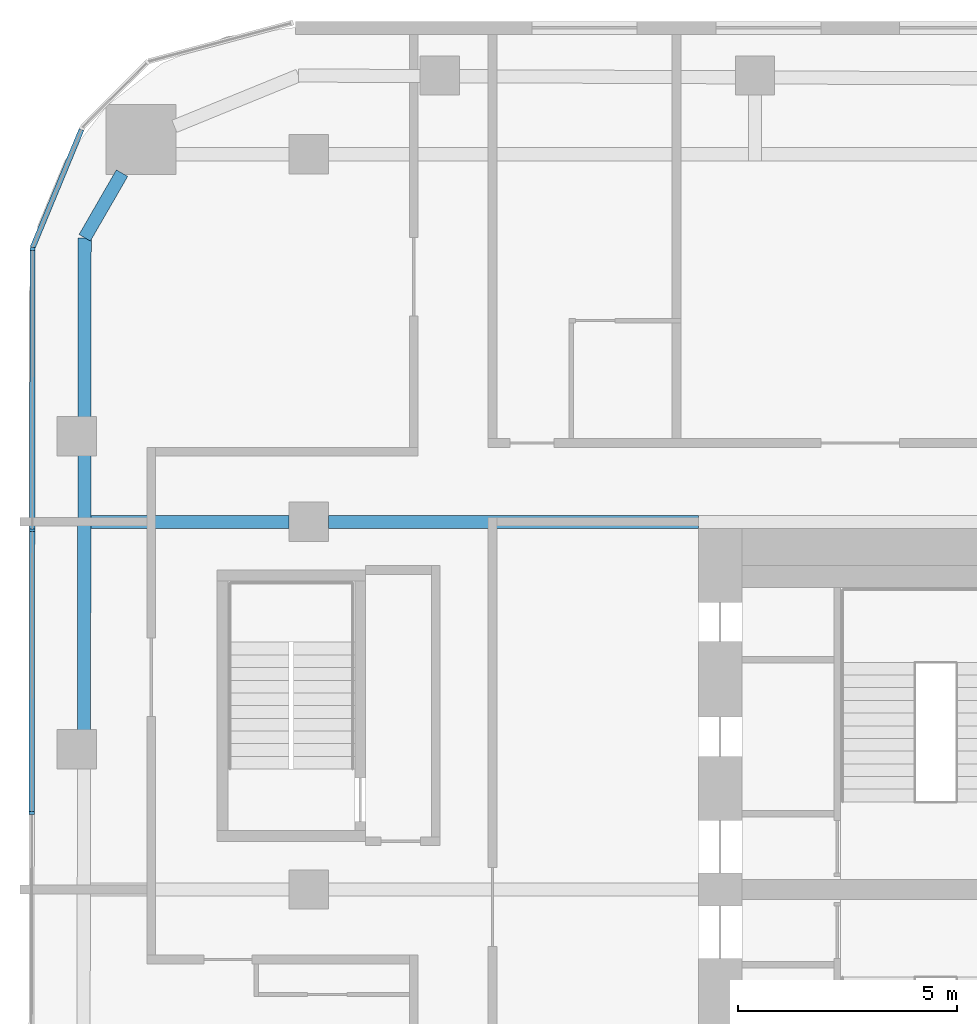
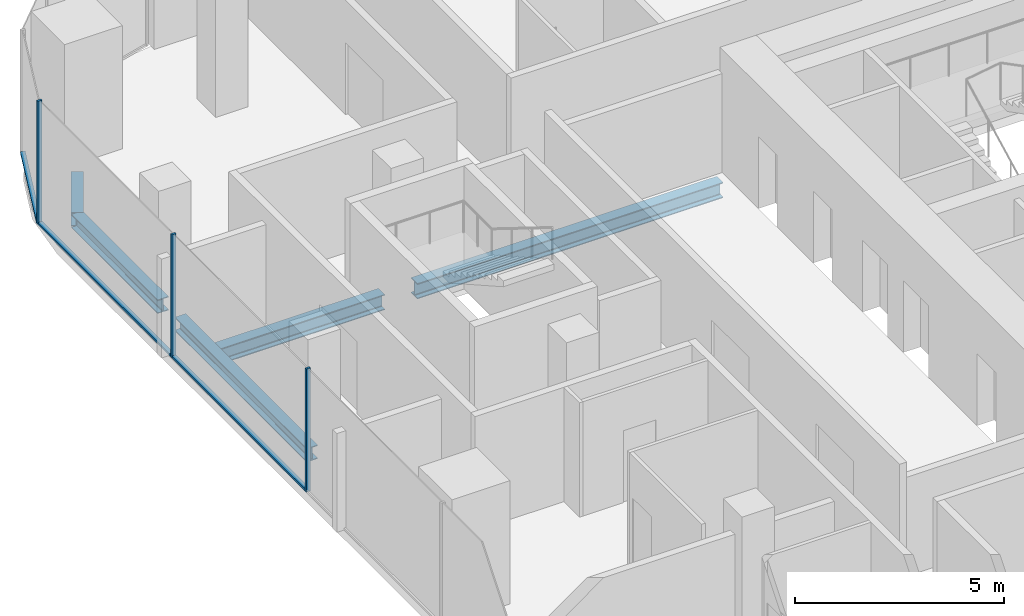
# One storey, part 8 of 23: 6 members, 5 beams, 2 elements without a shape of their own.
"""IFC4 building model written with IfcOpenShell, lengths in metres."""

import ifcopenshell
import ifcopenshell.guid

model = None  # the IFC model being written
_history = None  # IfcOwnerHistory: only IFC2X3 demands one
_inside = {}  # id of a spatial element -> (the spatial element, [elements in it])
_under = {}  # id of a project, library or spatial element -> (it, [spatial elements below it])
_declared = {}  # id of a project -> (the project, [libraries it declares])
_typed = {}  # id of a type object -> (the type object, [elements of that type])
_made_of = {}  # id of a material, layer set ... -> (it, [elements and type objects made of it])


def new_model(schema):
    """Start an empty IFC model of exactly this schema.

    Asked for "IFC4X3", IfcOpenShell would pick the latest addendum, in which some entities
    have other attributes; the version numbers below select the first issue.
    IFC2X3 requires an IfcOwnerHistory on every rooted entity: one is made here for all.
    """
    global model, _history
    if schema == "IFC4X3":
        model = ifcopenshell.file(schema_version=(4, 3, 0, 0))
    else:
        model = ifcopenshell.file(schema=schema)
    _inside.clear()
    _under.clear()
    _declared.clear()
    _typed.clear()
    _made_of.clear()
    _history = None
    if model.schema == "IFC2X3":
        org = make("IfcOrganization", Name="unknown")
        user = make(
            "IfcPersonAndOrganization",
            ThePerson=make("IfcPerson", FamilyName="unknown"),
            TheOrganization=org,
        )
        app = make(
            "IfcApplication",
            ApplicationDeveloper=org,
            Version="unknown",
            ApplicationFullName="unknown",
            ApplicationIdentifier="unknown",
        )
        _history = make(
            "IfcOwnerHistory",
            OwningUser=user,
            OwningApplication=app,
            ChangeAction="ADDED",
            CreationDate=0,
        )
    return model


def make(cls, **values):
    """One entity of the class cls with the attributes given. An attribute that is None is left unset."""
    return model.create_entity(
        cls, **{name: value for name, value in values.items() if value is not None}
    )


def rooted(cls, **values):
    """An entity with a GlobalId (a new one), such as an element, a storey or a relation."""
    return make(cls, GlobalId=ifcopenshell.guid.new(), OwnerHistory=_history, **values)


def si_unit(unit_type, name, prefix=None):
    """IfcSIUnit, for example si_unit("LENGTHUNIT", "METRE", prefix="MILLI")."""
    return make("IfcSIUnit", UnitType=unit_type, Prefix=prefix, Name=name)


def assignment(units):
    """IfcUnitAssignment: the units of a project."""
    return None if units is None else make("IfcUnitAssignment", Units=units)


def point(xyz):
    """IfcCartesianPoint."""
    return None if xyz is None else make("IfcCartesianPoint", Coordinates=xyz)


def direction(xyz):
    """IfcDirection."""
    return None if xyz is None else make("IfcDirection", DirectionRatios=xyz)


def frame(location, z_axis=None, x_axis=None):
    """IfcAxis2Placement3D, a coordinate frame: its origin and axes. An axis left out is left unset."""
    return make(
        "IfcAxis2Placement3D",
        Location=point(location),
        Axis=direction(z_axis),
        RefDirection=direction(x_axis),
    )


def frame_2d(location, x_axis=None):
    """IfcAxis2Placement2D, a coordinate frame in the plane: its origin and x axis."""
    return make(
        "IfcAxis2Placement2D", Location=point(location), RefDirection=direction(x_axis)
    )


def origin():
    """The frame at (0, 0, 0) with its axes left unset."""
    return frame((0.0, 0.0, 0.0))


def origin_2d():
    """The frame at (0, 0) in the plane with its x axis left unset."""
    return frame_2d((0.0, 0.0))


def place(relative_to, where):
    """IfcLocalPlacement: puts the frame where relative to a parent placement (None: the world)."""
    return make(
        "IfcLocalPlacement", PlacementRelTo=relative_to, RelativePlacement=where
    )


def context(
    kind, dimensions, precision=None, world=None, true_north=None, identifier=None
):
    """IfcGeometricRepresentationContext, for example the 3D "Model" context."""
    return make(
        "IfcGeometricRepresentationContext",
        ContextIdentifier=identifier,
        ContextType=kind,
        CoordinateSpaceDimension=dimensions,
        Precision=precision,
        WorldCoordinateSystem=world,
        TrueNorth=true_north,
    )


def subcontext(parent, identifier, kind, view, scale=None):
    """IfcGeometricRepresentationSubContext, for example "Body" below "Model"."""
    return make(
        "IfcGeometricRepresentationSubContext",
        ContextIdentifier=identifier,
        ContextType=kind,
        ParentContext=parent,
        TargetScale=scale,
        TargetView=view,
    )


def project(units=None, contexts=None):
    """IfcProject with its units and contexts."""
    return rooted(
        "IfcProject",
        Name="project",
        RepresentationContexts=contexts,
        UnitsInContext=assignment(units),
    )


def spatial(cls, under=None, at=None, **own):
    """A site, building, storey or space (cls), placed at a placement, below another one or the project."""
    s = rooted(cls, ObjectPlacement=at, **own)
    if under is not None:
        _under.setdefault(under.id(), (under, []))[1].append(s)
    return s


def profile(cls, at=None, kind="AREA", **sizes):
    """A parametric profile (cls). Its sizes go by their IFC names, for example OverallWidth=200.0."""
    return make(cls, ProfileType=kind, Position=at, **sizes)


def rectangle(**sizes):
    """IfcRectangleProfileDef."""
    return profile("IfcRectangleProfileDef", **sizes)


def i_section(**sizes):
    """IfcIShapeProfileDef."""
    return profile("IfcIShapeProfileDef", **sizes)


def extrude(swept, where, along, depth):
    """IfcExtrudedAreaSolid: the profile swept, set in the frame where, extruded along a direction by depth."""
    return make(
        "IfcExtrudedAreaSolid",
        SweptArea=swept,
        Position=where,
        ExtrudedDirection=direction(along),
        Depth=depth,
    )


def shape(context_of_items, identifier, shape_type, items):
    """IfcShapeRepresentation: the items that make up one representation, for example the "Body"."""
    return make(
        "IfcShapeRepresentation",
        ContextOfItems=context_of_items,
        RepresentationIdentifier=identifier,
        RepresentationType=shape_type,
        Items=items,
    )


def material(Name=None, Category=None):
    """IfcMaterial."""
    return make("IfcMaterial", Name=Name, Category=Category)


def layer(
    of_material, thickness, ventilated=None, Name=None, Category=None, Priority=None
):
    """IfcMaterialLayer: one layer of a wall or slab, of a material (None: an air gap)."""
    return make(
        "IfcMaterialLayer",
        Material=of_material,
        LayerThickness=thickness,
        IsVentilated=ventilated,
        Name=Name,
        Category=Category,
        Priority=Priority,
    )


def layer_set(layers, Name=None):
    """IfcMaterialLayerSet."""
    return make("IfcMaterialLayerSet", MaterialLayers=layers, LayerSetName=Name)


def material_profile(
    of_material, cross_section, Name=None, Category=None, Priority=None
):
    """IfcMaterialProfile: a cross section and its material."""
    return make(
        "IfcMaterialProfile",
        Name=Name,
        Material=of_material,
        Profile=cross_section,
        Priority=Priority,
        Category=Category,
    )


def profile_set(profiles, Name=None, composite=None):
    """IfcMaterialProfileSet."""
    return make(
        "IfcMaterialProfileSet",
        Name=Name,
        MaterialProfiles=profiles,
        CompositeProfile=composite,
    )


def made_of(thing, what):
    """Note that an element or type object is made of a material, layer set ...; save() writes the relation."""
    if what is not None:
        _made_of.setdefault(what.id(), (what, []))[1].append(thing)
    return thing


def type_object(cls, material=None, **own):
    """A type object (cls), such as IfcWallType, which elements share."""
    return made_of(rooted(cls, **own), material)


def element(
    cls,
    number,
    at=None,
    inside=None,
    cuts=None,
    type_object=None,
    material=None,
    context=None,
    identifier="Body",
    shape_type=None,
    held_by="IfcProductDefinitionShape",
    body=None,
    shapes=None,
    **own,
):
    """One element of the class cls, such as IfcWall. Its Tag is "e" and its number.

    at: its placement. inside: the storey or other place that contains it. cuts: it is an
    opening in that element (IfcRelVoidsElement). A single representation is given by context,
    identifier, shape_type and body (its items); several are given by shapes. held_by: the class
    of the entity that holds the representations. save() writes the other relations.
    """
    e = rooted(cls, Tag="e%d" % number, ObjectPlacement=at, **own)
    if body is not None:
        shapes = [shape(context, identifier, shape_type, body)]
    if shapes is not None:
        e.Representation = make(held_by, Representations=shapes)
    if inside is not None:
        _inside.setdefault(inside.id(), (inside, []))[1].append(e)
    if cuts is not None:
        rooted(
            "IfcRelVoidsElement", RelatingBuildingElement=cuts, RelatedOpeningElement=e
        )
    if type_object is not None:
        _typed.setdefault(type_object.id(), (type_object, []))[1].append(e)
    return made_of(e, material)


def aggregate(whole, parts):
    """IfcRelAggregates: a whole, such as a stair, and the parts it consists of."""
    return rooted("IfcRelAggregates", RelatingObject=whole, RelatedObjects=parts)


def save(model, path):
    """Write the relations noted so far, then the file.

    IfcRelAggregates (storeys below a building ...), IfcRelContainedInSpatialStructure (elements
    in a storey), IfcRelDefinesByType, IfcRelAssociatesMaterial and IfcRelDeclares: one each for
    every whole, place, type object, material and project.
    """
    for whole, parts in _under.values():
        aggregate(whole, parts)
    for where, things in _inside.values():
        rooted(
            "IfcRelContainedInSpatialStructure",
            RelatedElements=things,
            RelatingStructure=where,
        )
    for kind, things in _typed.values():
        rooted("IfcRelDefinesByType", RelatedObjects=things, RelatingType=kind)
    for what, things in _made_of.values():
        rooted("IfcRelAssociatesMaterial", RelatedObjects=things, RelatingMaterial=what)
    for by, libraries in _declared.values():
        rooted("IfcRelDeclares", RelatingContext=by, RelatedDefinitions=libraries)
    model.write(path)


model = new_model("IFC4")

# Units and contexts
model_context = context("Model", 3, precision=1e-05, world=origin(), true_north=direction((0.0, 1.0)))
body_context = subcontext(model_context, "Body", "Model", "MODEL_VIEW")
ifc_project = project(units=[si_unit("LENGTHUNIT", "METRE"), si_unit("AREAUNIT", "SQUARE_METRE"), si_unit("VOLUMEUNIT", "CUBIC_METRE"), si_unit("PLANEANGLEUNIT", "RADIAN"), si_unit("MASSUNIT", "GRAM", prefix="KILO")], contexts=[model_context])

# Site, building, storey
site_placement = place(None, origin())
site = spatial("IfcSite", under=ifc_project, at=site_placement, CompositionType="ELEMENT")
building_placement = place(site_placement, origin())
building = spatial("IfcBuilding", under=site, at=building_placement, Name="Marenta Gate Hotel Tower", CompositionType="ELEMENT")
storey_placement = place(building_placement, frame((0.0, 0.0, 148.10009765625)))
storey = spatial("IfcBuildingStorey", under=building, at=storey_placement, Name="L34", CompositionType="ELEMENT", Elevation=148.10009765625)

# Beams
ifc_material_1 = material(Name="Steel S355", Category="steel")
ifc_material_profile_1 = material_profile(ifc_material_1, i_section(OverallWidth=0.300048828125, OverallDepth=0.39990234375, WebThickness=0.013427734375, FlangeThickness=0.02392578125, FilletRadius=0.027099609375, at=origin_2d()), Name="HEB 400")
ifc_profile_set_1 = profile_set([ifc_material_profile_1], Name="Steel S355")
beam_type_1 = type_object("IfcBeamType", Name="Edge beam HEB 400", PredefinedType="SPANDREL", material=ifc_profile_set_1)
beam_1_placement = place(storey_placement, frame((-26.136962890625, 12.01318359375, -0.460205078125), z_axis=(0.001387763206, 0.999999037056, 0.0), x_axis=(-0.999999037056, 0.001387763206, 0.0)))
element("IfcBeam", 1, at=beam_1_placement, inside=storey, type_object=beam_type_1, Name="L34-EB-9", PredefinedType="SPANDREL", context=body_context, shape_type="SweptSolid", body=[
    extrude(i_section(OverallWidth=0.300048828125, OverallDepth=0.39990234375, WebThickness=0.013427734375, FlangeThickness=0.02392578125, FilletRadius=0.027099609375, at=origin_2d()), origin(), (0.0, 0.0, 1.0), 6.333251953125),
])
beam_2_placement = place(storey_placement, frame((-26.126953125, 19.16650390625, -0.460205078125), z_axis=(0.001361187116, 0.999999073584, 0.0), x_axis=(-0.999999073584, 0.001361187116, 0.0)))
element("IfcBeam", 2, at=beam_2_placement, inside=storey, type_object=beam_type_1, Name="L34-EB-10", PredefinedType="SPANDREL", context=body_context, shape_type="SweptSolid", body=[
    extrude(i_section(OverallWidth=0.300048828125, OverallDepth=0.39990234375, WebThickness=0.013427734375, FlangeThickness=0.02392578125, FilletRadius=0.027099609375, at=origin_2d()), origin(), (0.0, 0.0, 1.0), 4.125244140625),
])
beam_3_placement = place(storey_placement, frame((-26.121337890625, 23.291748046875, -0.460205078125), z_axis=(0.500015459501, 0.866016478054, 0.0), x_axis=(-0.866016478054, 0.500015459501, 0.0)))
element("IfcBeam", 3, at=beam_3_placement, inside=storey, type_object=beam_type_1, Name="L34-EB-11", PredefinedType="SPANDREL", context=body_context, shape_type="SweptSolid", body=[
    extrude(i_section(OverallWidth=0.300048828125, OverallDepth=0.39990234375, WebThickness=0.013427734375, FlangeThickness=0.02392578125, FilletRadius=0.027099609375, at=origin_2d()), origin(), (0.0, 0.0, 1.0), 1.70703125),
])
ifc_material_2 = material(Name="Steel S355", Category="steel")
ifc_material_profile_2 = material_profile(ifc_material_2, i_section(OverallWidth=0.300048828125, OverallDepth=0.449951171875, WebThickness=0.013916015625, FlangeThickness=0.02587890625, FilletRadius=0.027099609375, at=origin_2d()), Name="HEB 450")
ifc_profile_set_2 = profile_set([ifc_material_profile_2], Name="Steel S355")
beam_type_2 = type_object("IfcBeamType", Name="Girder HEB 450", PredefinedType="BEAM", material=ifc_profile_set_2)
beam_4_placement = place(storey_placement, frame((-25.980224609375, 16.800048828125, -0.485107421875), z_axis=(1.0, 0.0, 0.0), x_axis=(0.0, 1.0, 0.0)))
element("IfcBeam", 4, at=beam_4_placement, inside=storey, type_object=beam_type_2, Name="L34-GD-24", PredefinedType="BEAM", context=body_context, shape_type="SweptSolid", body=[
    extrude(i_section(OverallWidth=0.300048828125, OverallDepth=0.449951171875, WebThickness=0.013916015625, FlangeThickness=0.02587890625, FilletRadius=0.027099609375, at=origin_2d()), origin(), (0.0, 0.0, 1.0), 4.5302734375),
])
beam_5_placement = place(storey_placement, frame((-20.550048828125, 16.800048828125, -0.485107421875), z_axis=(1.0, 0.0, 0.0), x_axis=(0.0, 1.0, 0.0)))
element("IfcBeam", 5, at=beam_5_placement, inside=storey, type_object=beam_type_2, Name="L34-GD-25", PredefinedType="BEAM", context=body_context, shape_type="SweptSolid", body=[
    extrude(i_section(OverallWidth=0.300048828125, OverallDepth=0.449951171875, WebThickness=0.013916015625, FlangeThickness=0.02587890625, FilletRadius=0.027099609375, at=origin_2d()), origin(), (0.0, 0.0, 1.0), 8.449951171875),
])

# Curtain wall, members
ifc_material_3 = material(Name="Tinted insulated glass in bronze anodised frame", Category="glass")
ifc_layer = layer(ifc_material_3, 0.1201171875)
ifc_layer_set = layer_set([ifc_layer], Name="Tinted insulated glass in bronze anodised frame")
curtain_wall_type = type_object("IfcCurtainWallType", Name="Tower unitised curtain wall CW1", PredefinedType="NOTDEFINED", material=ifc_layer_set)
curtain_wall_1_placement = place(storey_placement, origin())
curtain_wall_1 = element("IfcCurtainWall", 6, at=curtain_wall_1_placement, inside=storey, type_object=curtain_wall_type, Name="CW1 run G03", PredefinedType="NOTDEFINED")
ifc_material_4 = material(Name="Bronze anodised aluminium", Category="aluminium")
ifc_material_profile_3 = material_profile(ifc_material_4, rectangle(XDim=0.1201171875, YDim=0.06005859375, at=origin_2d()), Name="Mullion CW1 60x120 bronze anodised aluminium")
ifc_profile_set_3 = profile_set([ifc_material_profile_3], Name="Bronze anodised aluminium")
member_type_1 = type_object("IfcMemberType", Name="Mullion CW1 60x120 bronze anodised aluminium", PredefinedType="MULLION", material=ifc_profile_set_3)
member_1_placement = place(storey_placement, frame((-27.312255859375, 23.0361328125, 0.0), z_axis=(0.0, 0.0, 1.0), x_axis=(0.99999877375, -0.001566045546, 0.0)))
member_1 = element("IfcMember", 7, at=member_1_placement, type_object=member_type_1, Name="CW1 mullion 1", PredefinedType="MULLION", context=body_context, shape_type="SweptSolid", body=[
    extrude(rectangle(XDim=0.1201171875, YDim=0.06005859375, at=origin_2d()), origin(), (0.0, 0.0, 1.0), 3.599853515625),
])
member_2_placement = place(storey_placement, frame((-27.322509765625, 16.606201171875, 0.0), z_axis=(0.0, 0.0, 1.0), x_axis=(0.99999877375, -0.001566045546, 0.0)))
member_2 = element("IfcMember", 8, at=member_2_placement, type_object=member_type_1, Name="CW1 mullion 2", PredefinedType="MULLION", context=body_context, shape_type="SweptSolid", body=[
    extrude(rectangle(XDim=0.1201171875, YDim=0.06005859375, at=origin_2d()), origin(), (0.0, 0.0, 1.0), 3.599853515625),
])
member_3_placement = place(storey_placement, frame((-27.33251953125, 10.146240234375, 0.0), z_axis=(0.0, 0.0, 1.0), x_axis=(0.99999877375, -0.001566045546, 0.0)))
member_3 = element("IfcMember", 9, at=member_3_placement, type_object=member_type_1, Name="CW1 mullion 3", PredefinedType="MULLION", context=body_context, shape_type="SweptSolid", body=[
    extrude(rectangle(XDim=0.1201171875, YDim=0.06005859375, at=origin_2d()), origin(), (0.0, 0.0, 1.0), 3.599853515625),
])

# Curtain wall, member
curtain_wall_2_placement = place(storey_placement, origin())
curtain_wall_2 = element("IfcCurtainWall", 10, at=curtain_wall_2_placement, inside=storey, type_object=curtain_wall_type, Name="CW1 run G02", PredefinedType="NOTDEFINED")
ifc_material_5 = material(Name="Bronze anodised aluminium", Category="aluminium")
ifc_material_profile_4 = material_profile(ifc_material_5, rectangle(XDim=0.1201171875, YDim=0.06005859375, at=origin_2d()), Name="Transom CW1 60x120 bronze anodised aluminium")
ifc_profile_set_4 = profile_set([ifc_material_profile_4], Name="Bronze anodised aluminium")
member_type_2 = type_object("IfcMemberType", Name="Transom CW1 60x120 bronze anodised aluminium", PredefinedType="USERDEFINED", material=ifc_profile_set_4)
member_4_placement = place(storey_placement, frame((-26.1953125, 25.76318359375, 0.02978515625), z_axis=(-0.382625093284, -0.923903695192, 0.0), x_axis=(0.923903695192, -0.382625093284, 0.0)))
member_4 = element("IfcMember", 11, at=member_4_placement, type_object=member_type_2, Name="CW1 transom 1.1", ObjectType="TRANSOM", PredefinedType="USERDEFINED", context=body_context, shape_type="SweptSolid", body=[
    extrude(rectangle(XDim=0.1201171875, YDim=0.06005859375, at=origin_2d()), origin(), (0.0, 0.0, 1.0), 2.919189453125),
])
aggregate(curtain_wall_2, [member_4])

# Member
member_5_placement = place(storey_placement, frame((-27.3125, 23.006103515625, 0.02978515625), z_axis=(-0.001533093902, -0.999998824811, 0.0), x_axis=(0.999998824811, -0.001533093902, 0.0)))
member_5 = element("IfcMember", 12, at=member_5_placement, type_object=member_type_2, Name="CW1 transom 1.1", ObjectType="TRANSOM", PredefinedType="USERDEFINED", context=body_context, shape_type="SweptSolid", body=[
    extrude(rectangle(XDim=0.1201171875, YDim=0.06005859375, at=origin_2d()), origin(), (0.0, 0.0, 1.0), 6.369873046875),
])

member_6_placement = place(storey_placement, frame((-27.322509765625, 16.576171875, 0.02978515625), z_axis=(-0.001564047831, -0.999998776876, 0.0), x_axis=(0.999998776876, -0.001564047831, 0.0)))
member_6 = element("IfcMember", 13, at=member_6_placement, type_object=member_type_2, Name="CW1 transom 2.1", ObjectType="TRANSOM", PredefinedType="USERDEFINED", context=body_context, shape_type="SweptSolid", body=[
    extrude(rectangle(XDim=0.1201171875, YDim=0.06005859375, at=origin_2d()), origin(), (0.0, 0.0, 1.0), 6.39990234375),
])

aggregate(curtain_wall_1, [member_1, member_2, member_3, member_5, member_6])

save(model, "model.ifc")
